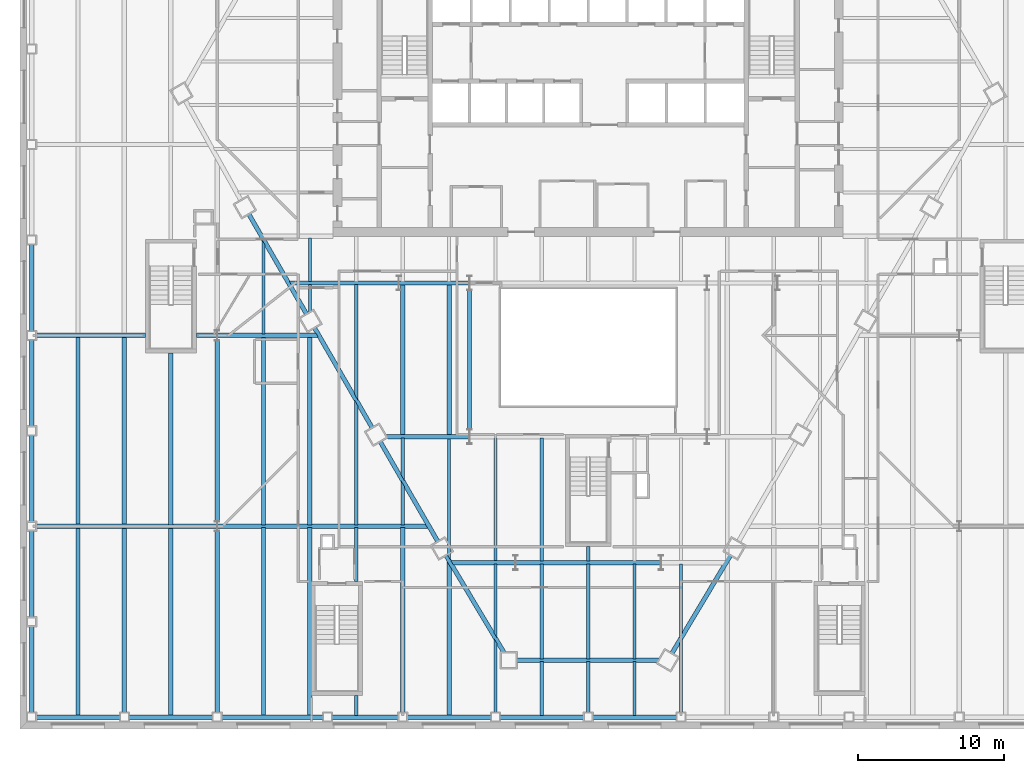
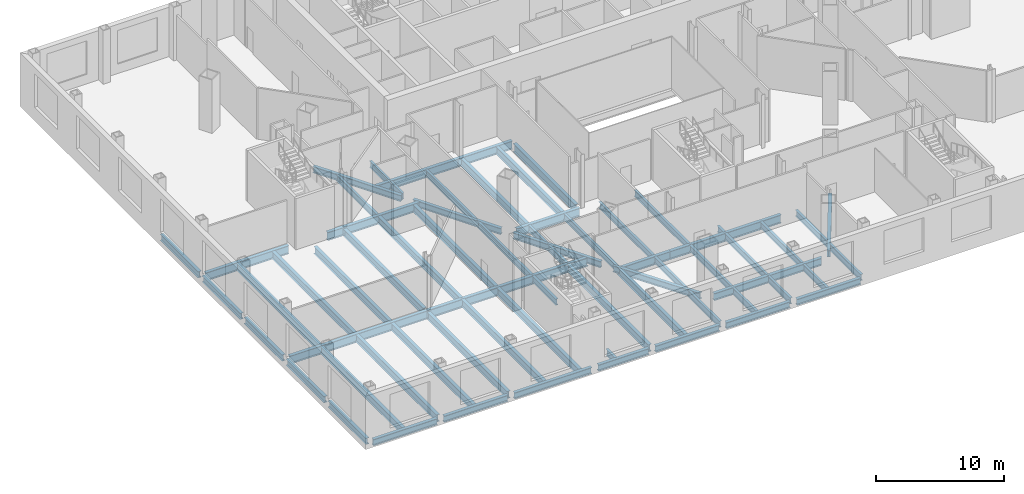
# One storey, part 4 of 21: 68 beams.
"""IFC4 building model written with IfcOpenShell, lengths in metres."""

from ifc_helpers import new_model, si_unit, direction, frame, origin, origin_2d, place, context, subcontext, project, spatial, i_section, extrude, clip, halfspace, material, material_profile, profile_set, type_object, element, save


model = new_model("IFC4")

# Units and contexts
model_context = context("Model", 3, precision=1e-05, world=origin(), true_north=direction((0.0, 1.0)))
body_context = subcontext(model_context, "Body", "Model", "MODEL_VIEW")
ifc_project = project(units=[si_unit("LENGTHUNIT", "METRE"), si_unit("AREAUNIT", "SQUARE_METRE"), si_unit("VOLUMEUNIT", "CUBIC_METRE"), si_unit("PLANEANGLEUNIT", "RADIAN"), si_unit("MASSUNIT", "GRAM", prefix="KILO")], contexts=[model_context])

# Site, building, storey
site_placement = place(None, origin())
site = spatial("IfcSite", under=ifc_project, at=site_placement, CompositionType="ELEMENT")
building_placement = place(site_placement, origin())
building = spatial("IfcBuilding", under=site, at=building_placement, Name="Njiva Tower", CompositionType="ELEMENT")
storey_placement = place(building_placement, frame((0.0, 0.0, 13.5)))
storey = spatial("IfcBuildingStorey", under=building, at=storey_placement, Name="L02", CompositionType="ELEMENT", Elevation=13.5)

# Beams
ifc_material = material(Name="Steel S355 J2", Category="steel")
ifc_material_profile_1 = material_profile(ifc_material, i_section(OverallWidth=0.3, OverallDepth=0.69, WebThickness=0.0145, FlangeThickness=0.027, at=origin_2d()), Name="HEA 700")
ifc_profile_set_1 = profile_set([ifc_material_profile_1], Name="Steel S355 J2")
beam_type_1 = type_object("IfcBeamType", Name="B1 Long-span spandrel beam HEA 700", PredefinedType="SPANDREL", material=ifc_profile_set_1)
beam_1_placement = place(storey_placement, frame((-4.911, -29.096, -0.565), z_axis=(1.0, 0.0, 0.0), x_axis=(0.0, 1.0, 0.0)))
element("IfcBeam", 1, at=beam_1_placement, inside=storey, type_object=beam_type_1, Name="Long-span spandrel beam L02-B160", PredefinedType="SPANDREL", context=body_context, shape_type="Clipping", body=[
    clip(extrude(i_section(OverallWidth=0.3, OverallDepth=0.69, WebThickness=0.0145, FlangeThickness=0.027, at=origin_2d()), origin(), (0.0, 0.0, 1.0), 9.844), halfspace(frame((-0.0254, 0.0, 9.7223), z_axis=(-0.499998009787, 0.0, 0.866026552831), x_axis=(0.0, 1.0, 0.0)), False)),
])
ifc_material_profile_2 = material_profile(ifc_material, i_section(OverallWidth=0.3, OverallDepth=0.69, WebThickness=0.0145, FlangeThickness=0.027, at=origin_2d()), Name="HEA 700")
ifc_profile_set_2 = profile_set([ifc_material_profile_2], Name="Steel S355 J2")
beam_type_2 = type_object("IfcBeamType", Name="B12 Long-span floor joist HEA 700", PredefinedType="JOIST", material=ifc_profile_set_2)
for number, where, z_axis, x_axis, name in (
    (2, (-35.017, -6.9, -0.565), (0.0, -1.0, 0.0), (1.0, 0.0, 0.0), "Long-span floor joist L02-B037"),
    (3, (-35.017, -20.0, -0.565), (0.0, -1.0, 0.0), (1.0, 0.0, 0.0), "Long-span floor joist L02-B036"),
    (4, (-31.833, -6.9, -0.565), (0.0, -1.0, 0.0), (1.0, 0.0, 0.0), "Long-span floor joist L02-B041"),
):
    element("IfcBeam", number, at=place(storey_placement, frame(where, z_axis=z_axis, x_axis=x_axis)), inside=storey, type_object=beam_type_2, Name=name, PredefinedType="JOIST", context=body_context, shape_type="SweptSolid", body=[
        extrude(i_section(OverallWidth=0.3, OverallDepth=0.69, WebThickness=0.0145, FlangeThickness=0.027, at=origin_2d()), origin(), (0.0, 0.0, 1.0), 12.9),
    ])
beam_2_placement = place(storey_placement, frame((-31.833, -20.0, -0.565), z_axis=(0.0, -1.0, 0.0), x_axis=(1.0, 0.0, 0.0)))
element("IfcBeam", 5, at=beam_2_placement, inside=storey, type_object=beam_type_2, Name="Long-span floor joist L02-B040", PredefinedType="JOIST", context=body_context, shape_type="SweptSolid", body=[
    extrude(i_section(OverallWidth=0.3, OverallDepth=0.69, WebThickness=0.0145, FlangeThickness=0.027, at=origin_2d()), origin(), (0.0, 0.0, 1.0), 12.7),
])
beam_3_placement = place(storey_placement, frame((-28.65, -8.0, -0.565), z_axis=(0.0, -1.0, 0.0), x_axis=(1.0, 0.0, 0.0)))
element("IfcBeam", 6, at=beam_3_placement, inside=storey, type_object=beam_type_2, Name="Long-span floor joist L02-B045", PredefinedType="JOIST", context=body_context, shape_type="SweptSolid", body=[
    extrude(i_section(OverallWidth=0.3, OverallDepth=0.69, WebThickness=0.0145, FlangeThickness=0.027, at=origin_2d()), origin(), (0.0, 0.0, 1.0), 11.8),
])
beam_4_placement = place(storey_placement, frame((-28.65, -20.0, -0.565), z_axis=(0.0, -1.0, 0.0), x_axis=(1.0, 0.0, 0.0)))
element("IfcBeam", 7, at=beam_4_placement, inside=storey, type_object=beam_type_2, Name="Long-span floor joist L02-B044", PredefinedType="JOIST", context=body_context, shape_type="SweptSolid", body=[
    extrude(i_section(OverallWidth=0.3, OverallDepth=0.69, WebThickness=0.0145, FlangeThickness=0.027, at=origin_2d()), origin(), (0.0, 0.0, 1.0), 12.9),
])
beam_5_placement = place(storey_placement, frame((-25.467, -7.108, -0.565), z_axis=(0.0, -1.0, 0.0), x_axis=(1.0, 0.0, 0.0)))
element("IfcBeam", 8, at=beam_5_placement, inside=storey, type_object=beam_type_2, Name="Long-span floor joist L02-B049", PredefinedType="JOIST", context=body_context, shape_type="SweptSolid", body=[
    extrude(i_section(OverallWidth=0.3, OverallDepth=0.69, WebThickness=0.0145, FlangeThickness=0.027, at=origin_2d()), origin(), (0.0, 0.0, 1.0), 12.484),
])
beam_6_placement = place(storey_placement, frame((-25.467, -20.208, -0.565), z_axis=(0.0, -1.0, 0.0), x_axis=(1.0, 0.0, 0.0)))
element("IfcBeam", 9, at=beam_6_placement, inside=storey, type_object=beam_type_2, Name="Long-span floor joist L02-B048", PredefinedType="JOIST", context=body_context, shape_type="SweptSolid", body=[
    extrude(i_section(OverallWidth=0.3, OverallDepth=0.69, WebThickness=0.0145, FlangeThickness=0.027, at=origin_2d()), origin(), (0.0, 0.0, 1.0), 12.492),
])
for number, where, z_axis, x_axis, name in (
    (10, (-22.283, -6.9, -0.565), (0.0, -1.0, 0.0), (1.0, 0.0, 0.0), "Long-span floor joist L02-B053"),
    (11, (-22.283, -20.001, -0.565), (0.0, -1.0, 0.0), (1.0, 0.0, 0.0), "Long-span floor joist L02-B052"),
    (12, (-19.1, -6.9, -0.565), (0.0, -1.0, 0.0), (1.0, 0.0, 0.0), "Long-span floor joist L02-B056"),
    (13, (-19.1, -20.001, -0.565), (0.0, -1.0, 0.0), (1.0, 0.0, 0.0), "Long-span floor joist L02-B055"),
):
    element("IfcBeam", number, at=place(storey_placement, frame(where, z_axis=z_axis, x_axis=x_axis)), inside=storey, type_object=beam_type_2, Name=name, PredefinedType="JOIST", context=body_context, shape_type="SweptSolid", body=[
        extrude(i_section(OverallWidth=0.3, OverallDepth=0.69, WebThickness=0.0145, FlangeThickness=0.027, at=origin_2d()), origin(), (0.0, 0.0, 1.0), 12.899),
    ])
beam_7_placement = place(storey_placement, frame((-12.733, -3.3, -0.565), z_axis=(0.0, -1.0, 0.0), x_axis=(1.0, 0.0, 0.0)))
element("IfcBeam", 14, at=beam_7_placement, inside=storey, type_object=beam_type_2, Name="Long-span floor joist L02-B067", PredefinedType="JOIST", context=body_context, shape_type="SweptSolid", body=[
    extrude(i_section(OverallWidth=0.3, OverallDepth=0.69, WebThickness=0.0145, FlangeThickness=0.027, at=origin_2d()), origin(), (0.0, 0.0, 1.0), 10.35),
])
beam_8_placement = place(storey_placement, frame((-12.733, -20.001, -0.565), z_axis=(0.0, -1.0, 0.0), x_axis=(1.0, 0.0, 0.0)))
element("IfcBeam", 15, at=beam_8_placement, inside=storey, type_object=beam_type_2, Name="Long-span floor joist L02-B064", PredefinedType="JOIST", context=body_context, shape_type="SweptSolid", body=[
    extrude(i_section(OverallWidth=0.3, OverallDepth=0.69, WebThickness=0.0145, FlangeThickness=0.027, at=origin_2d()), origin(), (0.0, 0.0, 1.0), 12.699),
])
beam_9_placement = place(storey_placement, frame((-9.55, -3.3, -0.565), z_axis=(0.0, -1.0, 0.0), x_axis=(1.0, 0.0, 0.0)))
element("IfcBeam", 16, at=beam_9_placement, inside=storey, type_object=beam_type_2, Name="Long-span floor joist L02-B071", PredefinedType="JOIST", context=body_context, shape_type="SweptSolid", body=[
    extrude(i_section(OverallWidth=0.3, OverallDepth=0.69, WebThickness=0.0145, FlangeThickness=0.027, at=origin_2d()), origin(), (0.0, 0.0, 1.0), 10.35),
])
beam_10_placement = place(storey_placement, frame((-9.55, -22.243, -0.565), z_axis=(0.0, -1.0, 0.0), x_axis=(1.0, 0.0, 0.0)))
element("IfcBeam", 17, at=beam_10_placement, inside=storey, type_object=beam_type_2, Name="Long-span floor joist L02-B069", PredefinedType="JOIST", context=body_context, shape_type="Clipping", body=[
    clip(extrude(i_section(OverallWidth=0.3, OverallDepth=0.69, WebThickness=0.0145, FlangeThickness=0.027, at=origin_2d()), origin(), (0.0, 0.0, 1.0), 10.657), halfspace(frame((0.0429, 0.0, 0.2758), z_axis=(0.858483100847, 0.0, -0.512841852388), x_axis=(0.0, -1.0, 0.0)), False)),
])
ifc_material_profile_3 = material_profile(ifc_material, i_section(OverallWidth=0.22, OverallDepth=0.6, WebThickness=0.012, FlangeThickness=0.019, at=origin_2d()), Name="IPE 600")
ifc_profile_set_3 = profile_set([ifc_material_profile_3], Name="Steel S355 J2")
beam_type_3 = type_object("IfcBeamType", Name="B13 Floor joist IPE 600", PredefinedType="JOIST", material=ifc_profile_set_3)
beam_11_placement = place(storey_placement, frame((-22.283, -0.215, -0.52), z_axis=(0.0, -1.0, 0.0), x_axis=(1.0, 0.0, 0.0)))
element("IfcBeam", 18, at=beam_11_placement, inside=storey, type_object=beam_type_3, Name="Floor joist L02-B054", PredefinedType="JOIST", context=body_context, shape_type="Clipping", body=[
    clip(extrude(i_section(OverallWidth=0.22, OverallDepth=0.6, WebThickness=0.012, FlangeThickness=0.019, at=origin_2d()), origin(), (0.0, 0.0, 1.0), 6.485), halfspace(frame((0.043, 0.0, 0.2859), z_axis=(0.866026552831, 0.0, -0.499998009787), x_axis=(0.0, -1.0, 0.0)), False)),
])
beam_12_placement = place(storey_placement, frame((-15.917, -3.3, -0.52), z_axis=(0.0, -1.0, 0.0), x_axis=(1.0, 0.0, 0.0)))
element("IfcBeam", 19, at=beam_12_placement, inside=storey, type_object=beam_type_3, Name="Floor joist L02-B062", PredefinedType="JOIST", context=body_context, shape_type="Clipping", body=[
    clip(extrude(i_section(OverallWidth=0.22, OverallDepth=0.6, WebThickness=0.012, FlangeThickness=0.019, at=origin_2d()), origin(), (0.0, 0.0, 1.0), 7.964), halfspace(frame((-0.043, 0.0, 7.6783), z_axis=(-0.866026552831, 0.0, 0.499998009787), x_axis=(0.0, 1.0, 0.0)), False)),
])
beam_13_placement = place(storey_placement, frame((-15.917, -11.242, -0.52), z_axis=(0.0, -1.0, 0.0), x_axis=(1.0, 0.0, 0.0)))
element("IfcBeam", 20, at=beam_13_placement, inside=storey, type_object=beam_type_3, Name="Floor joist L02-B061", PredefinedType="JOIST", context=body_context, shape_type="Clipping", body=[
    clip(extrude(i_section(OverallWidth=0.22, OverallDepth=0.6, WebThickness=0.012, FlangeThickness=0.019, at=origin_2d()), origin(), (0.0, 0.0, 1.0), 8.557), halfspace(frame((0.0436, 0.0, 0.2863), z_axis=(0.866026552831, 0.0, -0.499998009787), x_axis=(0.0, -1.0, 0.0)), False)),
])
beam_14_placement = place(storey_placement, frame((-9.55, -13.85, -0.52), z_axis=(0.0, -1.0, 0.0), x_axis=(1.0, 0.0, 0.0)))
element("IfcBeam", 21, at=beam_14_placement, inside=storey, type_object=beam_type_3, Name="Floor joist L02-B070", PredefinedType="JOIST", context=body_context, shape_type="Clipping", body=[
    clip(extrude(i_section(OverallWidth=0.22, OverallDepth=0.6, WebThickness=0.012, FlangeThickness=0.019, at=origin_2d()), origin(), (0.0, 0.0, 1.0), 8.411), halfspace(frame((-0.0429, 0.0, 8.1351), z_axis=(-0.858483100847, 0.0, 0.512841852388), x_axis=(0.0, 1.0, 0.0)), False)),
])
beam_15_placement = place(storey_placement, frame((-6.367, -13.851, -0.52), z_axis=(0.0, -1.0, 0.0), x_axis=(1.0, 0.0, 0.0)))
element("IfcBeam", 22, at=beam_15_placement, inside=storey, type_object=beam_type_3, Name="Floor joist L02-B075", PredefinedType="JOIST", context=body_context, shape_type="SweptSolid", body=[
    extrude(i_section(OverallWidth=0.22, OverallDepth=0.6, WebThickness=0.012, FlangeThickness=0.019, at=origin_2d()), origin(), (0.0, 0.0, 1.0), 8.449),
])
beam_16_placement = place(storey_placement, frame((-6.367, -22.5, -0.52), z_axis=(0.0, -1.0, 0.0), x_axis=(1.0, 0.0, 0.0)))
element("IfcBeam", 23, at=beam_16_placement, inside=storey, type_object=beam_type_3, Name="Floor joist L02-B074", PredefinedType="JOIST", context=body_context, shape_type="Clipping", body=[
    clip(extrude(i_section(OverallWidth=0.22, OverallDepth=0.6, WebThickness=0.012, FlangeThickness=0.019, at=origin_2d()), origin(), (0.0, 0.0, 1.0), 5.09), halfspace(frame((-0.0426, 0.0, 4.8139), z_axis=(-0.858483100847, 0.0, 0.512841852388), x_axis=(0.0, 1.0, 0.0)), False)),
])
beam_17_placement = place(storey_placement, frame((-6.367, -27.572, -0.52), z_axis=(0.0, -1.0, 0.0), x_axis=(1.0, 0.0, 0.0)))
element("IfcBeam", 24, at=beam_17_placement, inside=storey, type_object=beam_type_3, Name="Floor joist L02-B073", PredefinedType="JOIST", context=body_context, shape_type="Clipping", body=[
    clip(extrude(i_section(OverallWidth=0.22, OverallDepth=0.6, WebThickness=0.012, FlangeThickness=0.019, at=origin_2d()), origin(), (0.0, 0.0, 1.0), 5.128), halfspace(frame((0.0433, 0.0, 0.2756), z_axis=(0.858483100847, 0.0, -0.512841852388), x_axis=(0.0, -1.0, 0.0)), False)),
])
beam_18_placement = place(storey_placement, frame((-3.183, -13.851, -0.52), z_axis=(0.0, -1.0, 0.0), x_axis=(1.0, 0.0, 0.0)))
element("IfcBeam", 25, at=beam_18_placement, inside=storey, type_object=beam_type_3, Name="Floor joist L02-B079", PredefinedType="JOIST", context=body_context, shape_type="SweptSolid", body=[
    extrude(i_section(OverallWidth=0.22, OverallDepth=0.6, WebThickness=0.012, FlangeThickness=0.019, at=origin_2d()), origin(), (0.0, 0.0, 1.0), 8.449),
])
for number, where, z_axis, x_axis, name in (
    (26, (-3.183, -22.5, -0.52), (0.0, -1.0, 0.0), (1.0, 0.0, 0.0), "Floor joist L02-B078"),
    (27, (0.0, -22.5, -0.52), (0.0, -1.0, 0.0), (1.0, 0.0, 0.0), "Floor joist L02-B082"),
    (28, (3.183, -22.5, -0.52), (0.0, -1.0, 0.0), (1.0, 0.0, 0.0), "Floor joist L02-B086"),
):
    element("IfcBeam", number, at=place(storey_placement, frame(where, z_axis=z_axis, x_axis=x_axis)), inside=storey, type_object=beam_type_3, Name=name, PredefinedType="JOIST", context=body_context, shape_type="SweptSolid", body=[
        extrude(i_section(OverallWidth=0.22, OverallDepth=0.6, WebThickness=0.012, FlangeThickness=0.019, at=origin_2d()), origin(), (0.0, 0.0, 1.0), 6.496),
    ])
beam_19_placement = place(storey_placement, frame((6.367, -22.5, -0.52), z_axis=(0.0, -1.0, 0.0), x_axis=(1.0, 0.0, 0.0)))
element("IfcBeam", 29, at=beam_19_placement, inside=storey, type_object=beam_type_3, Name="Floor joist L02-B090", PredefinedType="JOIST", context=body_context, shape_type="Clipping", body=[
    clip(extrude(i_section(OverallWidth=0.22, OverallDepth=0.6, WebThickness=0.012, FlangeThickness=0.019, at=origin_2d()), origin(), (0.0, 0.0, 1.0), 5.09), halfspace(frame((0.0426, 0.0, 4.8139), z_axis=(0.858483100847, 0.0, 0.512841852388), x_axis=(0.0, 1.0, 0.0)), False)),
])
beam_20_placement = place(storey_placement, frame((6.367, -27.572, -0.52), z_axis=(0.0, -1.0, 0.0), x_axis=(1.0, 0.0, 0.0)))
element("IfcBeam", 30, at=beam_20_placement, inside=storey, type_object=beam_type_3, Name="Floor joist L02-B089", PredefinedType="JOIST", context=body_context, shape_type="Clipping", body=[
    clip(extrude(i_section(OverallWidth=0.22, OverallDepth=0.6, WebThickness=0.012, FlangeThickness=0.019, at=origin_2d()), origin(), (0.0, 0.0, 1.0), 5.128), halfspace(frame((-0.0433, 0.0, 0.2756), z_axis=(-0.858483100847, 0.0, -0.512841852388), x_axis=(0.0, -1.0, 0.0)), False)),
])
ifc_material_profile_4 = material_profile(ifc_material, i_section(OverallWidth=0.22, OverallDepth=0.6, WebThickness=0.012, FlangeThickness=0.019, at=origin_2d()), Name="IPE 600")
ifc_profile_set_4 = profile_set([ifc_material_profile_4], Name="Steel S355 J2")
beam_type_4 = type_object("IfcBeamType", Name="B14 Short-span floor joist IPE 600", PredefinedType="JOIST", material=ifc_profile_set_4)
beam_21_placement = place(storey_placement, frame((-19.1, -0.1, -0.52), z_axis=(0.0, -1.0, 0.0), x_axis=(1.0, 0.0, 0.0)))
element("IfcBeam", 31, at=beam_21_placement, inside=storey, type_object=beam_type_4, Name="Short-span floor joist L02-B058", PredefinedType="JOIST", context=body_context, shape_type="SweptSolid", body=[
    extrude(i_section(OverallWidth=0.22, OverallDepth=0.6, WebThickness=0.012, FlangeThickness=0.019, at=origin_2d()), origin(), (0.0, 0.0, 1.0), 3.0),
])
beam_22_placement = place(storey_placement, frame((-19.1, -3.3, -0.52), z_axis=(0.0, -1.0, 0.0), x_axis=(1.0, 0.0, 0.0)))
element("IfcBeam", 32, at=beam_22_placement, inside=storey, type_object=beam_type_4, Name="Short-span floor joist L02-B057", PredefinedType="JOIST", context=body_context, shape_type="Clipping", body=[
    clip(extrude(i_section(OverallWidth=0.22, OverallDepth=0.6, WebThickness=0.012, FlangeThickness=0.019, at=origin_2d()), origin(), (0.0, 0.0, 1.0), 1.978), halfspace(frame((0.025, 0.0, 1.88), z_axis=(0.499998009787, 0.0, 0.866026552831), x_axis=(0.0, 1.0, 0.0)), False)),
])
beam_23_placement = place(storey_placement, frame((-15.917, -20.001, -0.52), z_axis=(0.0, -1.0, 0.0), x_axis=(1.0, 0.0, 0.0)))
element("IfcBeam", 33, at=beam_23_placement, inside=storey, type_object=beam_type_4, Name="Short-span floor joist L02-B060", PredefinedType="JOIST", context=body_context, shape_type="SweptSolid", body=[
    extrude(i_section(OverallWidth=0.22, OverallDepth=0.6, WebThickness=0.012, FlangeThickness=0.019, at=origin_2d()), origin(), (0.0, 0.0, 1.0), 3.699),
])
beam_24_placement = place(storey_placement, frame((-15.917, -31.5, -0.52), z_axis=(0.0, -1.0, 0.0), x_axis=(1.0, 0.0, 0.0)))
element("IfcBeam", 34, at=beam_24_placement, inside=storey, type_object=beam_type_4, Name="Short-span floor joist L02-B059", PredefinedType="JOIST", context=body_context, shape_type="SweptSolid", body=[
    extrude(i_section(OverallWidth=0.22, OverallDepth=0.6, WebThickness=0.012, FlangeThickness=0.019, at=origin_2d()), origin(), (0.0, 0.0, 1.0), 1.4),
])
beam_25_placement = place(storey_placement, frame((-12.733, -13.85, -0.52), z_axis=(0.0, -1.0, 0.0), x_axis=(1.0, 0.0, 0.0)))
element("IfcBeam", 35, at=beam_25_placement, inside=storey, type_object=beam_type_4, Name="Short-span floor joist L02-B066", PredefinedType="JOIST", context=body_context, shape_type="Clipping", body=[
    clip(extrude(i_section(OverallWidth=0.22, OverallDepth=0.6, WebThickness=0.012, FlangeThickness=0.019, at=origin_2d()), origin(), (0.0, 0.0, 1.0), 2.928), halfspace(frame((-0.0436, 0.0, 2.642), z_axis=(-0.866026552831, 0.0, 0.499998009787), x_axis=(0.0, 1.0, 0.0)), False)),
])
beam_26_placement = place(storey_placement, frame((-12.733, -16.756, -0.52), z_axis=(0.0, -1.0, 0.0), x_axis=(1.0, 0.0, 0.0)))
element("IfcBeam", 36, at=beam_26_placement, inside=storey, type_object=beam_type_4, Name="Short-span floor joist L02-B065", PredefinedType="JOIST", context=body_context, shape_type="Clipping", body=[
    clip(extrude(i_section(OverallWidth=0.22, OverallDepth=0.6, WebThickness=0.012, FlangeThickness=0.019, at=origin_2d()), origin(), (0.0, 0.0, 1.0), 3.043), halfspace(frame((0.043, 0.0, 0.286), z_axis=(0.866026552831, 0.0, -0.499998009787), x_axis=(0.0, -1.0, 0.0)), False)),
])
beam_27_placement = place(storey_placement, frame((-3.183, -29.196, -0.52), z_axis=(0.0, -1.0, 0.0), x_axis=(1.0, 0.0, 0.0)))
element("IfcBeam", 37, at=beam_27_placement, inside=storey, type_object=beam_type_4, Name="Short-span floor joist L02-B077", PredefinedType="JOIST", context=body_context, shape_type="SweptSolid", body=[
    extrude(i_section(OverallWidth=0.22, OverallDepth=0.6, WebThickness=0.012, FlangeThickness=0.019, at=origin_2d()), origin(), (0.0, 0.0, 1.0), 3.704),
])
beam_28_placement = place(storey_placement, frame((0.0, -21.3, -0.52), z_axis=(0.0, -1.0, 0.0), x_axis=(1.0, 0.0, 0.0)))
element("IfcBeam", 38, at=beam_28_placement, inside=storey, type_object=beam_type_4, Name="Short-span floor joist L02-B083", PredefinedType="JOIST", context=body_context, shape_type="SweptSolid", body=[
    extrude(i_section(OverallWidth=0.22, OverallDepth=0.6, WebThickness=0.012, FlangeThickness=0.019, at=origin_2d()), origin(), (0.0, 0.0, 1.0), 1.0),
])
beam_29_placement = place(storey_placement, frame((0.0, -29.196, -0.52), z_axis=(0.0, -1.0, 0.0), x_axis=(1.0, 0.0, 0.0)))
element("IfcBeam", 39, at=beam_29_placement, inside=storey, type_object=beam_type_4, Name="Short-span floor joist L02-B081", PredefinedType="JOIST", context=body_context, shape_type="SweptSolid", body=[
    extrude(i_section(OverallWidth=0.22, OverallDepth=0.6, WebThickness=0.012, FlangeThickness=0.019, at=origin_2d()), origin(), (0.0, 0.0, 1.0), 3.504),
])
beam_30_placement = place(storey_placement, frame((3.183, -29.196, -0.52), z_axis=(0.0, -1.0, 0.0), x_axis=(1.0, 0.0, 0.0)))
element("IfcBeam", 40, at=beam_30_placement, inside=storey, type_object=beam_type_4, Name="Short-span floor joist L02-B085", PredefinedType="JOIST", context=body_context, shape_type="SweptSolid", body=[
    extrude(i_section(OverallWidth=0.22, OverallDepth=0.6, WebThickness=0.012, FlangeThickness=0.019, at=origin_2d()), origin(), (0.0, 0.0, 1.0), 3.704),
])
ifc_material_profile_5 = material_profile(ifc_material, i_section(OverallWidth=0.3, OverallDepth=0.6, WebThickness=0.0155, FlangeThickness=0.03, at=origin_2d()), Name="HEB 600")
ifc_profile_set_5 = profile_set([ifc_material_profile_5], Name="Steel S355 J2")
beam_type_5 = type_object("IfcBeamType", Name="B2 Spandrel beam HEB 600", PredefinedType="SPANDREL", material=ifc_profile_set_5)
beam_31_placement = place(storey_placement, frame((-23.294, 1.524, -0.52), z_axis=(0.500025004646, -0.866010966864, 0.0), x_axis=(0.866010966864, 0.500025004646, 0.0)))
element("IfcBeam", 41, at=beam_31_placement, inside=storey, type_object=beam_type_5, Name="Spandrel beam L02-B150", PredefinedType="SPANDREL", context=body_context, shape_type="SweptSolid", body=[
    extrude(i_section(OverallWidth=0.3, OverallDepth=0.6, WebThickness=0.0155, FlangeThickness=0.03, at=origin_2d()), origin(), (0.0, 0.0, 1.0), 7.9156),
])
beam_32_placement = place(storey_placement, frame((-18.786, -6.283, -0.52), z_axis=(0.499970304126, -0.866042548026, 0.0), x_axis=(0.866042548026, 0.499970304126, 0.0)))
element("IfcBeam", 42, at=beam_32_placement, inside=storey, type_object=beam_type_5, Name="Spandrel beam L02-B152", PredefinedType="SPANDREL", context=body_context, shape_type="SweptSolid", body=[
    extrude(i_section(OverallWidth=0.3, OverallDepth=0.6, WebThickness=0.0155, FlangeThickness=0.03, at=origin_2d()), origin(), (0.0, 0.0, 1.0), 7.9165),
])
beam_33_placement = place(storey_placement, frame((-14.278, -14.091, -0.52), z_axis=(0.499930249268, -0.866065670643, 0.0), x_axis=(0.866065670643, 0.499930249268, 0.0)))
element("IfcBeam", 43, at=beam_33_placement, inside=storey, type_object=beam_type_5, Name="Spandrel beam L02-B154", PredefinedType="SPANDREL", context=body_context, shape_type="SweptSolid", body=[
    extrude(i_section(OverallWidth=0.3, OverallDepth=0.6, WebThickness=0.0155, FlangeThickness=0.03, at=origin_2d()), origin(), (0.0, 0.0, 1.0), 7.9151),
])
beam_34_placement = place(storey_placement, frame((-9.763, -21.896, -0.52), z_axis=(0.512881198595, -0.85845959493, 0.0), x_axis=(0.85845959493, 0.512881198595, 0.0)))
element("IfcBeam", 44, at=beam_34_placement, inside=storey, type_object=beam_type_5, Name="Spandrel beam L02-B157", PredefinedType="SPANDREL", context=body_context, shape_type="Clipping", body=[
    clip(extrude(i_section(OverallWidth=0.3, OverallDepth=0.6, WebThickness=0.0155, FlangeThickness=0.03, at=origin_2d()), origin(), (0.0, 0.0, 1.0), 7.8564), halfspace(frame((-0.0257, 0.0, 7.7311), z_axis=(-0.512881198595, 0.0, 0.85845959493), x_axis=(0.0, 1.0, 0.0)), False)),
])
beam_35_placement = place(storey_placement, frame((5.744, -28.623, -0.52), z_axis=(0.512880901609, 0.858459772362, 0.0), x_axis=(-0.858459772362, 0.512880901609, 0.0)))
element("IfcBeam", 45, at=beam_35_placement, inside=storey, type_object=beam_type_5, Name="Spandrel beam L02-B164", PredefinedType="SPANDREL", context=body_context, shape_type="SweptSolid", body=[
    extrude(i_section(OverallWidth=0.3, OverallDepth=0.6, WebThickness=0.0155, FlangeThickness=0.03, at=origin_2d()), origin(), (0.0, 0.0, 1.0), 7.8361),
])
for number, where, z_axis, x_axis, name in (
    (46, (-38.2, -0.55, -0.52), (0.0, -1.0, 0.0), (1.0, 0.0, 0.0), "Spandrel beam L02-B138"),
    (47, (-38.2, -7.1, -0.52), (0.0, -1.0, 0.0), (1.0, 0.0, 0.0), "Spandrel beam L02-B137"),
    (48, (-38.2, -13.65, -0.52), (0.0, -1.0, 0.0), (1.0, 0.0, 0.0), "Spandrel beam L02-B136"),
    (49, (-38.2, -20.2, -0.52), (0.0, -1.0, 0.0), (1.0, 0.0, 0.0), "Spandrel beam L02-B135"),
    (50, (-38.2, -26.75, -0.52), (0.0, -1.0, 0.0), (1.0, 0.0, 0.0), "Spandrel beam L02-B134"),
):
    element("IfcBeam", number, at=place(storey_placement, frame(where, z_axis=z_axis, x_axis=x_axis)), inside=storey, type_object=beam_type_5, Name=name, PredefinedType="SPANDREL", context=body_context, shape_type="SweptSolid", body=[
        extrude(i_section(OverallWidth=0.3, OverallDepth=0.6, WebThickness=0.0155, FlangeThickness=0.03, at=origin_2d()), origin(), (0.0, 0.0, 1.0), 5.95),
    ])
beam_36_placement = place(storey_placement, frame((-37.9, -33.0, -0.52), z_axis=(1.0, 0.0, 0.0), x_axis=(0.0, 1.0, 0.0)))
element("IfcBeam", 51, at=beam_36_placement, inside=storey, type_object=beam_type_5, Name="Spandrel beam L02-B142", PredefinedType="SPANDREL", context=body_context, shape_type="SweptSolid", body=[
    extrude(i_section(OverallWidth=0.3, OverallDepth=0.6, WebThickness=0.0155, FlangeThickness=0.03, at=origin_2d()), origin(), (0.0, 0.0, 1.0), 5.767),
])
beam_37_placement = place(storey_placement, frame((-31.533, -33.0, -0.52), z_axis=(1.0, 0.0, 0.0), x_axis=(0.0, 1.0, 0.0)))
element("IfcBeam", 52, at=beam_37_placement, inside=storey, type_object=beam_type_5, Name="Spandrel beam L02-B144", PredefinedType="SPANDREL", context=body_context, shape_type="SweptSolid", body=[
    extrude(i_section(OverallWidth=0.3, OverallDepth=0.6, WebThickness=0.0155, FlangeThickness=0.03, at=origin_2d()), origin(), (0.0, 0.0, 1.0), 5.766),
])
beam_38_placement = place(storey_placement, frame((-25.167, -33.0, -0.52), z_axis=(1.0, 0.0, 0.0), x_axis=(0.0, 1.0, 0.0)))
element("IfcBeam", 53, at=beam_38_placement, inside=storey, type_object=beam_type_5, Name="Spandrel beam L02-B148", PredefinedType="SPANDREL", context=body_context, shape_type="SweptSolid", body=[
    extrude(i_section(OverallWidth=0.3, OverallDepth=0.6, WebThickness=0.0155, FlangeThickness=0.03, at=origin_2d()), origin(), (0.0, 0.0, 1.0), 6.967),
])
beam_39_placement = place(storey_placement, frame((-17.6, -33.0, -0.52), z_axis=(1.0, 0.0, 0.0), x_axis=(0.0, 1.0, 0.0)))
element("IfcBeam", 54, at=beam_39_placement, inside=storey, type_object=beam_type_5, Name="Spandrel beam L02-B153", PredefinedType="SPANDREL", context=body_context, shape_type="SweptSolid", body=[
    extrude(i_section(OverallWidth=0.3, OverallDepth=0.6, WebThickness=0.0155, FlangeThickness=0.03, at=origin_2d()), origin(), (0.0, 0.0, 1.0), 4.567),
])
beam_40_placement = place(storey_placement, frame((-12.433, -33.0, -0.52), z_axis=(1.0, 0.0, 0.0), x_axis=(0.0, 1.0, 0.0)))
element("IfcBeam", 55, at=beam_40_placement, inside=storey, type_object=beam_type_5, Name="Spandrel beam L02-B156", PredefinedType="SPANDREL", context=body_context, shape_type="SweptSolid", body=[
    extrude(i_section(OverallWidth=0.3, OverallDepth=0.6, WebThickness=0.0155, FlangeThickness=0.03, at=origin_2d()), origin(), (0.0, 0.0, 1.0), 5.766),
])
for number, where, z_axis, x_axis, name in (
    (56, (-6.067, -33.0, -0.52), (1.0, 0.0, 0.0), (0.0, 1.0, 0.0), "Spandrel beam L02-B158"),
    (57, (0.3, -33.0, -0.52), (1.0, 0.0, 0.0), (0.0, 1.0, 0.0), "Spandrel beam L02-B162"),
):
    element("IfcBeam", number, at=place(storey_placement, frame(where, z_axis=z_axis, x_axis=x_axis)), inside=storey, type_object=beam_type_5, Name=name, PredefinedType="SPANDREL", context=body_context, shape_type="SweptSolid", body=[
        extrude(i_section(OverallWidth=0.3, OverallDepth=0.6, WebThickness=0.0155, FlangeThickness=0.03, at=origin_2d()), origin(), (0.0, 0.0, 1.0), 5.767),
    ])
ifc_material_profile_6 = material_profile(ifc_material, i_section(OverallWidth=0.3, OverallDepth=0.79, WebThickness=0.015, FlangeThickness=0.028, at=origin_2d()), Name="HEA 800")
ifc_profile_set_6 = profile_set([ifc_material_profile_6], Name="Steel S355 J2")
beam_type_6 = type_object("IfcBeamType", Name="B4 Floor girder HEA 800", PredefinedType="BEAM", material=ifc_profile_set_6)
beam_41_placement = place(storey_placement, frame((-20.558, -3.2, -0.615), z_axis=(1.0, 0.0, 0.0), x_axis=(0.0, 1.0, 0.0)))
element("IfcBeam", 58, at=beam_41_placement, inside=storey, type_object=beam_type_6, Name="Floor girder L02-B020", PredefinedType="BEAM", context=body_context, shape_type="Clipping", body=[
    clip(extrude(i_section(OverallWidth=0.3, OverallDepth=0.79, WebThickness=0.015, FlangeThickness=0.028, at=origin_2d()), origin(), (0.0, 0.0, 1.0), 7.558), halfspace(frame((-0.025, 0.0, 0.1217), z_axis=(-0.499998009787, 0.0, -0.866026552831), x_axis=(0.0, -1.0, 0.0)), False)),
])
beam_42_placement = place(storey_placement, frame((-13.0, -3.2, -0.615), z_axis=(1.0, 0.0, 0.0), x_axis=(0.0, 1.0, 0.0)))
element("IfcBeam", 59, at=beam_42_placement, inside=storey, type_object=beam_type_6, Name="Floor girder L02-B022", PredefinedType="BEAM", context=body_context, shape_type="SweptSolid", body=[
    extrude(i_section(OverallWidth=0.3, OverallDepth=0.79, WebThickness=0.015, FlangeThickness=0.028, at=origin_2d()), origin(), (0.0, 0.0, 1.0), 4.85),
])
beam_43_placement = place(storey_placement, frame((-13.947, -13.75, -0.615), z_axis=(1.0, 0.0, 0.0), x_axis=(0.0, 1.0, 0.0)))
element("IfcBeam", 60, at=beam_43_placement, inside=storey, type_object=beam_type_6, Name="Floor girder L02-B021", PredefinedType="BEAM", context=body_context, shape_type="Clipping", body=[
    clip(extrude(i_section(OverallWidth=0.3, OverallDepth=0.79, WebThickness=0.015, FlangeThickness=0.028, at=origin_2d()), origin(), (0.0, 0.0, 1.0), 5.797), halfspace(frame((-0.025, 0.0, 0.1215), z_axis=(-0.499998009787, 0.0, -0.866026552831), x_axis=(0.0, -1.0, 0.0)), False)),
])
beam_44_placement = place(storey_placement, frame((-37.9, -6.8, -0.615), z_axis=(1.0, 0.0, 0.0), x_axis=(0.0, 1.0, 0.0)))
element("IfcBeam", 61, at=beam_44_placement, inside=storey, type_object=beam_type_6, Name="Floor girder L02-B014", PredefinedType="BEAM", context=body_context, shape_type="SweptSolid", body=[
    extrude(i_section(OverallWidth=0.3, OverallDepth=0.79, WebThickness=0.015, FlangeThickness=0.028, at=origin_2d()), origin(), (0.0, 0.0, 1.0), 7.5),
])
beam_45_placement = place(storey_placement, frame((-25.467, -6.8, -0.615), z_axis=(1.0, 0.0, 0.0), x_axis=(0.0, 1.0, 0.0)))
element("IfcBeam", 62, at=beam_45_placement, inside=storey, type_object=beam_type_6, Name="Floor girder L02-B018", PredefinedType="BEAM", context=body_context, shape_type="Clipping", body=[
    clip(extrude(i_section(OverallWidth=0.3, OverallDepth=0.79, WebThickness=0.015, FlangeThickness=0.028, at=origin_2d()), origin(), (0.0, 0.0, 1.0), 6.971), halfspace(frame((0.025, 0.0, 6.8493), z_axis=(0.499998009787, 0.0, 0.866026552831), x_axis=(0.0, 1.0, 0.0)), False)),
])
ifc_material_profile_7 = material_profile(ifc_material, i_section(OverallWidth=0.3, OverallDepth=0.79, WebThickness=0.015, FlangeThickness=0.028, at=origin_2d()), Name="HEA 800")
ifc_profile_set_7 = profile_set([ifc_material_profile_7], Name="Steel S355 J2")
beam_type_7 = type_object("IfcBeamType", Name="B5 Short-span floor girder HEA 800", PredefinedType="BEAM", material=ifc_profile_set_7)
beam_46_placement = place(storey_placement, frame((-9.455, -22.4, -0.615), z_axis=(1.0, 0.0, 0.0), x_axis=(0.0, 1.0, 0.0)))
element("IfcBeam", 63, at=beam_46_placement, inside=storey, type_object=beam_type_7, Name="Short-span floor girder L02-B023", PredefinedType="BEAM", context=body_context, shape_type="Clipping", body=[
    clip(extrude(i_section(OverallWidth=0.3, OverallDepth=0.79, WebThickness=0.015, FlangeThickness=0.028, at=origin_2d()), origin(), (0.0, 0.0, 1.0), 4.455), halfspace(frame((-0.0256, 0.0, 0.1253), z_axis=(-0.512841852388, 0.0, -0.858483100847), x_axis=(0.0, -1.0, 0.0)), False)),
])
beam_47_placement = place(storey_placement, frame((-26.9, -6.8, -0.615), z_axis=(1.0, 0.0, 0.0), x_axis=(0.0, 1.0, 0.0)))
element("IfcBeam", 64, at=beam_47_placement, inside=storey, type_object=beam_type_7, Name="Short-span floor girder L02-B016", PredefinedType="BEAM", context=body_context, shape_type="SweptSolid", body=[
    extrude(i_section(OverallWidth=0.3, OverallDepth=0.79, WebThickness=0.015, FlangeThickness=0.028, at=origin_2d()), origin(), (0.0, 0.0, 1.0), 1.433),
])
ifc_material_profile_8 = material_profile(ifc_material, i_section(OverallWidth=0.3, OverallDepth=0.79, WebThickness=0.015, FlangeThickness=0.028, at=origin_2d()), Name="HEA 800")
ifc_profile_set_8 = profile_set([ifc_material_profile_8], Name="Steel S355 J2")
beam_type_8 = type_object("IfcBeamType", Name="B6 Long-span floor girder HEA 800", PredefinedType="BEAM", material=ifc_profile_set_8)
beam_48_placement = place(storey_placement, frame((-5.0, -22.4, -0.615), z_axis=(1.0, 0.0, 0.0), x_axis=(0.0, 1.0, 0.0)))
element("IfcBeam", 65, at=beam_48_placement, inside=storey, type_object=beam_type_8, Name="Long-span floor girder L02-B024", PredefinedType="BEAM", context=body_context, shape_type="SweptSolid", body=[
    extrude(i_section(OverallWidth=0.3, OverallDepth=0.79, WebThickness=0.015, FlangeThickness=0.028, at=origin_2d()), origin(), (0.0, 0.0, 1.0), 10.0),
])
beam_49_placement = place(storey_placement, frame((-37.9, -19.9, -0.615), z_axis=(1.0, 0.0, 0.0), x_axis=(0.0, 1.0, 0.0)))
element("IfcBeam", 66, at=beam_49_placement, inside=storey, type_object=beam_type_8, Name="Long-span floor girder L02-B013", PredefinedType="BEAM", context=body_context, shape_type="SweptSolid", body=[
    extrude(i_section(OverallWidth=0.3, OverallDepth=0.79, WebThickness=0.015, FlangeThickness=0.028, at=origin_2d()), origin(), (0.0, 0.0, 1.0), 12.433),
])
ifc_material_profile_9 = material_profile(ifc_material, i_section(OverallWidth=0.303, OverallDepth=0.814, WebThickness=0.021, FlangeThickness=0.04, at=origin_2d()), Name="HEM 800")
ifc_profile_set_9 = profile_set([ifc_material_profile_9], Name="Steel S355 J2")
beam_type_9 = type_object("IfcBeamType", Name="B7 Long-span floor girder HEM 800", PredefinedType="BEAM", material=ifc_profile_set_9)
beam_50_placement = place(storey_placement, frame((-25.467, -19.9, -0.627), z_axis=(1.0, 0.0, 0.0), x_axis=(0.0, 1.0, 0.0)))
element("IfcBeam", 67, at=beam_50_placement, inside=storey, type_object=beam_type_9, Name="Long-span floor girder L02-B017", PredefinedType="BEAM", context=body_context, shape_type="Clipping", body=[
    clip(extrude(i_section(OverallWidth=0.303, OverallDepth=0.814, WebThickness=0.021, FlangeThickness=0.04, at=origin_2d()), origin(), (0.0, 0.0, 1.0), 14.534), halfspace(frame((0.025, 0.0, 14.4126), z_axis=(0.499998009787, 0.0, 0.866026552831), x_axis=(0.0, 1.0, 0.0)), False)),
])
ifc_material_profile_10 = material_profile(ifc_material, i_section(OverallWidth=0.3, OverallDepth=0.79, WebThickness=0.015, FlangeThickness=0.028, at=origin_2d()), Name="HEA 800")
ifc_profile_set_10 = profile_set([ifc_material_profile_10], Name="Steel S355 J2")
beam_type_10 = type_object("IfcBeamType", Name="B9 Long-span atrium trimmer beam HEA 800", PredefinedType="BEAM", material=ifc_profile_set_10)
beam_51_placement = place(storey_placement, frame((-8.15, -3.654, -0.615), z_axis=(0.0, -1.0, 0.0), x_axis=(1.0, 0.0, 0.0)))
element("IfcBeam", 68, at=beam_51_placement, inside=storey, type_object=beam_type_10, Name="Long-span atrium trimmer beam L02-B131", PredefinedType="BEAM", context=body_context, shape_type="SweptSolid", body=[
    extrude(i_section(OverallWidth=0.3, OverallDepth=0.79, WebThickness=0.015, FlangeThickness=0.028, at=origin_2d()), origin(), (0.0, 0.0, 1.0), 9.642),
])

save(model, "model.ifc")
